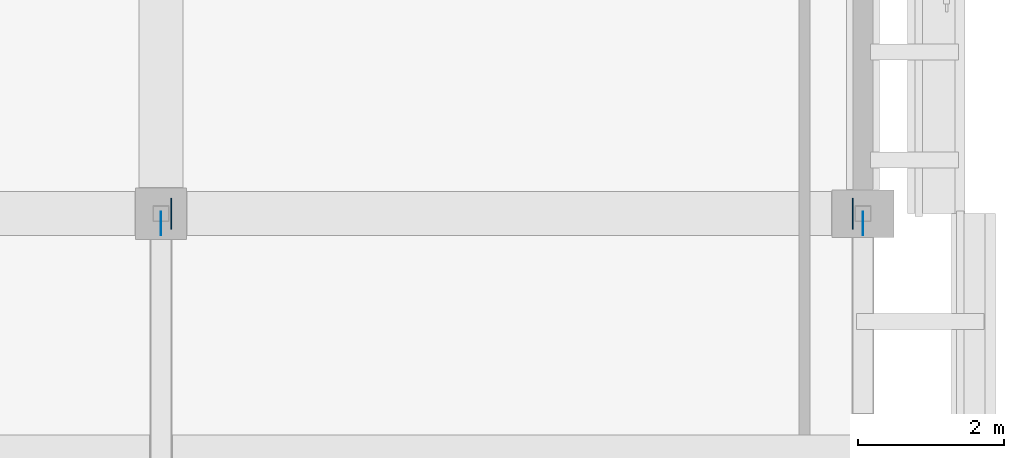
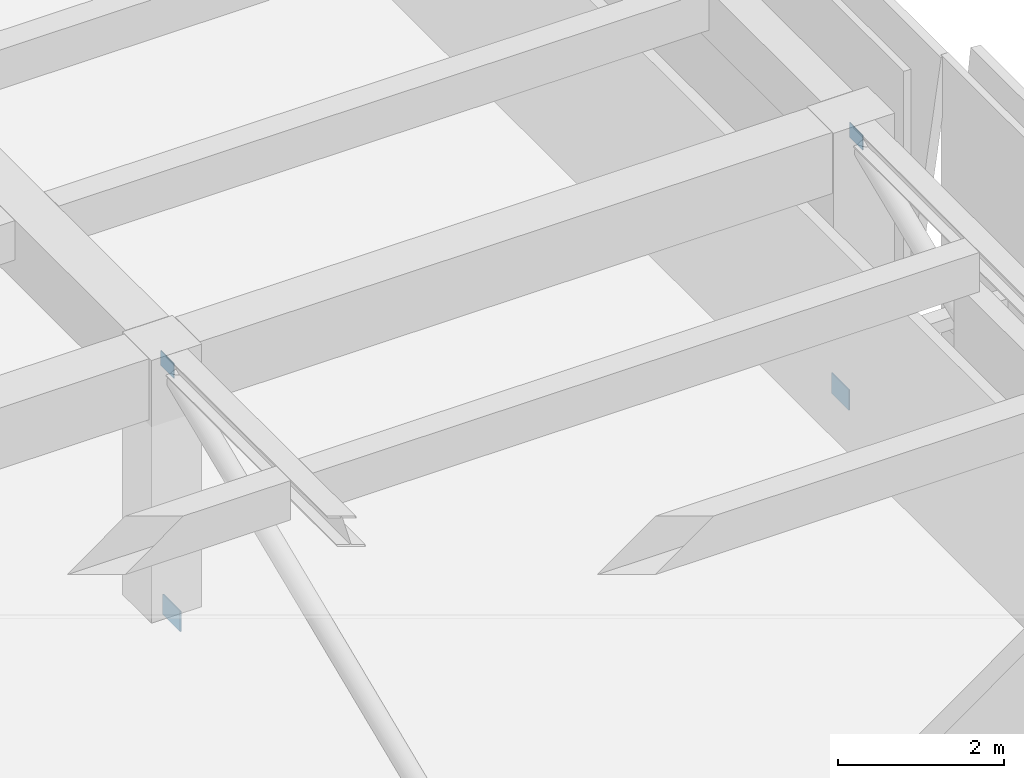
# One storey, part 41 of 62: 4 plates.
"""IFC4 building model written with IfcOpenShell, lengths in metres."""

from ifc_helpers import new_model, si_unit, direction, frame, origin, origin_2d, place, context, subcontext, project, spatial, rectangle, extrude, material, layer, layer_set, type_object, element, save


model = new_model("IFC4")

# Units and contexts
model_context = context("Model", 3, precision=1e-05, world=origin(), true_north=direction((0.0, 1.0)))
body_context = subcontext(model_context, "Body", "Model", "MODEL_VIEW")
ifc_project = project(units=[si_unit("LENGTHUNIT", "METRE"), si_unit("AREAUNIT", "SQUARE_METRE"), si_unit("VOLUMEUNIT", "CUBIC_METRE"), si_unit("PLANEANGLEUNIT", "RADIAN"), si_unit("MASSUNIT", "GRAM", prefix="KILO")], contexts=[model_context])

# Site, building, storey
site_placement = place(None, origin())
site = spatial("IfcSite", under=ifc_project, at=site_placement, CompositionType="ELEMENT")
building_placement = place(site_placement, origin())
building = spatial("IfcBuilding", under=site, at=building_placement, Name="Bempovik Park Faculty of Sciences", CompositionType="ELEMENT")
storey_placement = place(building_placement, frame((0.0, 0.0, 9.89990234375)))
storey = spatial("IfcBuildingStorey", under=building, at=storey_placement, Name="L02", CompositionType="ELEMENT", Elevation=9.89990234375)

# Plates
ifc_material = material(Name="Steel S355", Category="steel")
ifc_layer_1 = layer(ifc_material, 0.01806640625)
ifc_layer_set_1 = layer_set([ifc_layer_1], Name="Steel S355")
plate_type_1 = type_object("IfcPlateType", Name="PL-22 Steel Plate 420x300x18", PredefinedType="SHEET", material=ifc_layer_set_1)
for number, where, z_axis, x_axis, name in (
    (1, (108.139892578125, 39.0, -0.35009765625), (0.0, 0.0, 1.0), (1.0, 0.0, 0.0), "Cantilever Gusset Plate CT6-5-B"),
    (2, (117.4599609375, 39.0, -0.35009765625), (0.0, 0.0, 1.0), (1.0, 0.0, 0.0), "Cantilever Gusset Plate CT7-5-B"),
):
    element("IfcPlate", number, at=place(storey_placement, frame(where, z_axis=z_axis, x_axis=x_axis)), inside=storey, type_object=plate_type_1, Name=name, PredefinedType="SHEET", context=body_context, shape_type="SweptSolid", body=[
        extrude(rectangle(XDim=0.01806640625, YDim=0.419921875, at=origin_2d()), origin(), (0.0, 0.0, 1.0), 0.300048828125),
    ])
ifc_layer_2 = layer(ifc_material, 0.011962890625)
ifc_layer_set_2 = layer_set([ifc_layer_2], Name="Steel S355")
plate_type_2 = type_object("IfcPlateType", Name="PL-26 Steel Plate 320x220x12", PredefinedType="SHEET", material=ifc_layer_set_2)
for number, where, z_axis, x_axis, name in (
    (3, (108.0, 38.864990234375, 3.48388671875), (0.0, 0.0, 1.0), (1.0, 0.0, 0.0), "Brace/Strut End Gusset Plate CT6-BRL2-4-E2"),
    (4, (117.60009765625, 38.864990234375, 3.48388671875), (0.0, 0.0, 1.0), (1.0, 0.0, 0.0), "Brace/Strut End Gusset Plate CT7-BRL2-4-E2"),
):
    element("IfcPlate", number, at=place(storey_placement, frame(where, z_axis=z_axis, x_axis=x_axis)), inside=storey, type_object=plate_type_2, Name=name, PredefinedType="SHEET", context=body_context, shape_type="SweptSolid", body=[
        extrude(rectangle(XDim=0.011962890625, YDim=0.320068359375, at=origin_2d()), origin(), (0.0, 0.0, 1.0), 0.219970703125),
    ])

save(model, "model.ifc")
